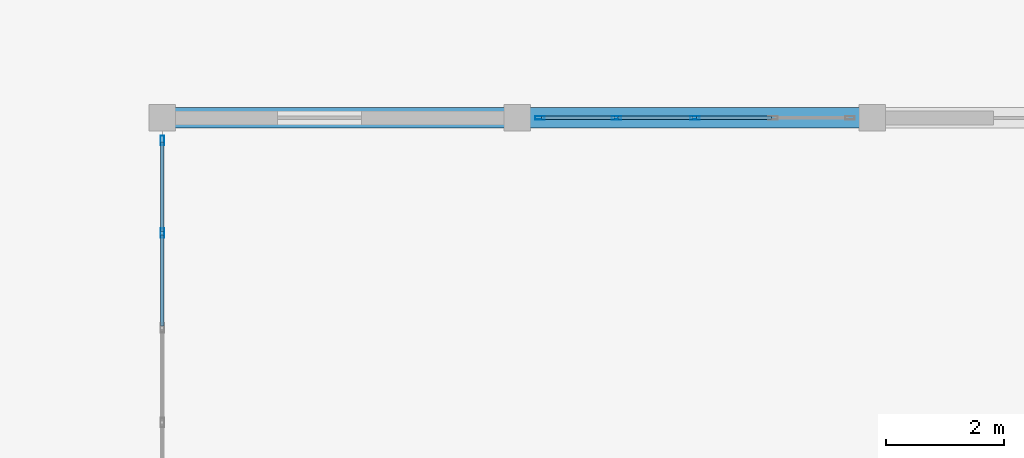
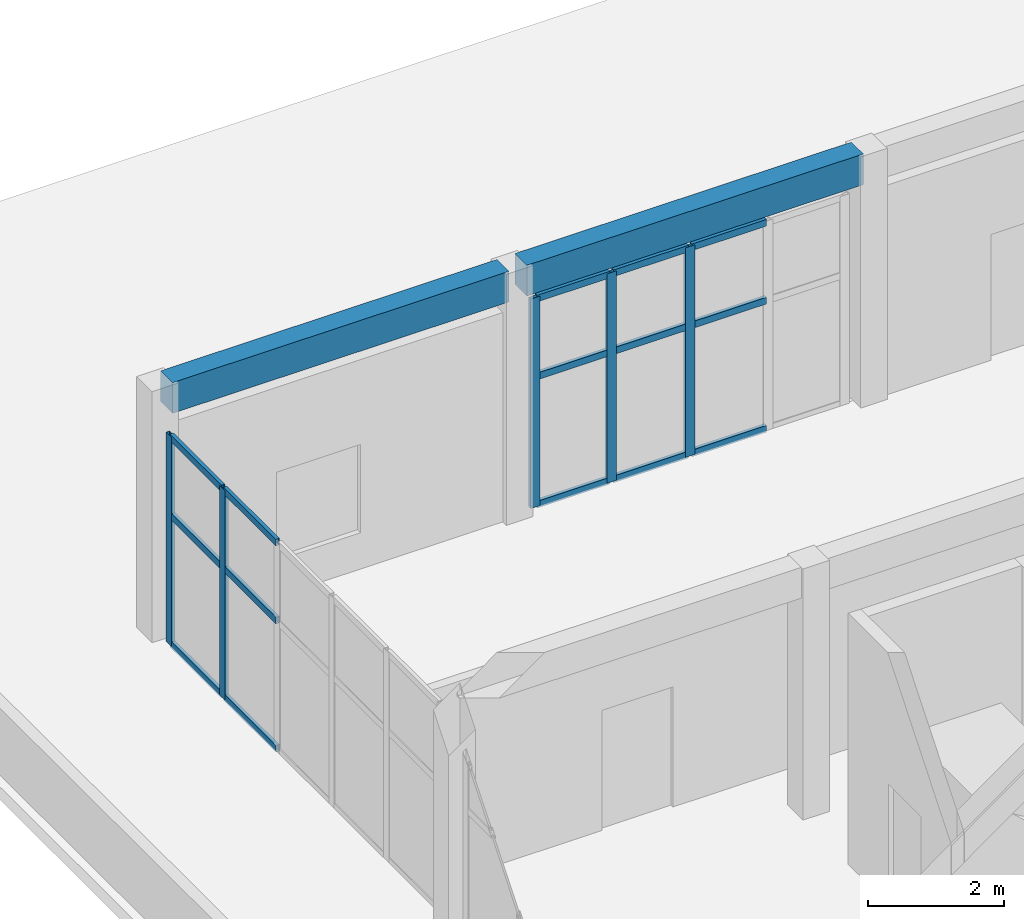
# One storey, part 48 of 132: 20 members, 2 beams, 2 elements without a shape of their own.
"""IFC4 building model written with IfcOpenShell, lengths in metres."""

from ifc_helpers import new_model, si_unit, direction, frame, origin, origin_2d, place, context, subcontext, project, spatial, rectangle, hollow_rectangle, extrude, material, material_profile, profile_set, type_object, element, aggregate, save


model = new_model("IFC4")

# Units and contexts
model_context = context("Model", 3, precision=1e-05, world=origin(), true_north=direction((0.0, 1.0)))
body_context = subcontext(model_context, "Body", "Model", "MODEL_VIEW")
ifc_project = project(units=[si_unit("LENGTHUNIT", "METRE"), si_unit("AREAUNIT", "SQUARE_METRE"), si_unit("VOLUMEUNIT", "CUBIC_METRE"), si_unit("PLANEANGLEUNIT", "RADIAN"), si_unit("MASSUNIT", "GRAM", prefix="KILO")], contexts=[model_context])

# Site, building, storey
site_placement = place(None, origin())
site = spatial("IfcSite", under=ifc_project, at=site_placement, CompositionType="ELEMENT")
building_placement = place(site_placement, origin())
building = spatial("IfcBuilding", under=site, at=building_placement, Name="Tanwirah Colonnade Gardens", CompositionType="ELEMENT")
storey_placement = place(building_placement, origin())
storey = spatial("IfcBuildingStorey", under=building, at=storey_placement, Name="L00", CompositionType="ELEMENT", Elevation=0.0)

# Beams
ifc_material_1 = material(Name="Precast concrete C40/50", Category="concrete")
ifc_material_profile_1 = material_profile(ifc_material_1, rectangle(XDim=0.35009765625, YDim=0.550048828125, at=origin_2d()), Name="PC-BM 350x550")
ifc_profile_set_1 = profile_set([ifc_material_profile_1], Name="Precast concrete C40/50")
beam_type = type_object("IfcBeamType", Name="BM-PC350A", PredefinedType="BEAM", material=ifc_profile_set_1)
for number, where, z_axis, x_axis, name in (
    (1, (78.14990234375, 109.39990234375, 4.219970703125), (1.0, 0.0, 0.0), (0.0, 1.0, 0.0), "Nursery L00 Beam X-0.2"),
    (2, (84.14990234375, 109.39990234375, 4.219970703125), (1.0, 0.0, 0.0), (0.0, 1.0, 0.0), "Nursery L00 Beam X-1.2"),
):
    element("IfcBeam", number, at=place(storey_placement, frame(where, z_axis=z_axis, x_axis=x_axis)), inside=storey, type_object=beam_type, Name=name, PredefinedType="BEAM", context=body_context, shape_type="SweptSolid", body=[
        extrude(rectangle(XDim=0.35009765625, YDim=0.550048828125, at=origin_2d()), origin(), (0.0, 0.0, 1.0), 5.7001953125),
    ])

# Curtain wall, members
ifc_material_2 = material(Name="Bronze-anodised aluminium and solar-control low-E glass", Category="aluminium")
curtain_wall_type = type_object("IfcCurtainWallType", Name="CW-NUR", PredefinedType="NOTDEFINED", material=ifc_material_2)
curtain_wall_1_placement = place(storey_placement, origin())
curtain_wall_1 = element("IfcCurtainWall", 3, at=curtain_wall_1_placement, inside=storey, type_object=curtain_wall_type, Name="Curtain Wall CW-NUR-L00-N-1", PredefinedType="NOTDEFINED")
ifc_material_3 = material(Name="Bronze-anodised aluminium", Category="aluminium")
ifc_material_profile_2 = material_profile(ifc_material_3, hollow_rectangle(XDim=0.06005859375, YDim=0.159912109375, WallThickness=0.00390625, at=origin_2d()), Name="CW-MUL 60x160x4")
ifc_profile_set_2 = profile_set([ifc_material_profile_2], Name="Bronze-anodised aluminium")
member_type_1 = type_object("IfcMemberType", Name="CWM-60x160", PredefinedType="MULLION", material=ifc_profile_set_2)
member_1_placement = place(storey_placement, frame((84.3798828125, 109.39990234375, 0.0), z_axis=(0.0, 0.0, 1.0), x_axis=(0.0, 1.0, 0.0)))
member_1 = element("IfcMember", 4, at=member_1_placement, type_object=member_type_1, Name="CW-NUR mullion 1", PredefinedType="MULLION", context=body_context, shape_type="SweptSolid", body=[
    extrude(hollow_rectangle(XDim=0.06005859375, YDim=0.159912109375, WallThickness=0.00390625, at=origin_2d()), origin(), (0.0, 0.0, 1.0), 3.75),
])
member_2_placement = place(storey_placement, frame((85.675048828125, 109.39990234375, 0.0), z_axis=(0.0, 0.0, 1.0), x_axis=(0.0, 1.0, 0.0)))
member_2 = element("IfcMember", 5, at=member_2_placement, type_object=member_type_1, Name="CW-NUR mullion 2", PredefinedType="MULLION", context=body_context, shape_type="SweptSolid", body=[
    extrude(hollow_rectangle(XDim=0.06005859375, YDim=0.159912109375, WallThickness=0.00390625, at=origin_2d()), origin(), (0.0, 0.0, 1.0), 3.75),
])
member_3_placement = place(storey_placement, frame((87.0, 109.39990234375, 0.0), z_axis=(0.0, 0.0, 1.0), x_axis=(0.0, 1.0, 0.0)))
member_3 = element("IfcMember", 6, at=member_3_placement, type_object=member_type_1, Name="CW-NUR mullion 3", PredefinedType="MULLION", context=body_context, shape_type="SweptSolid", body=[
    extrude(hollow_rectangle(XDim=0.06005859375, YDim=0.159912109375, WallThickness=0.00390625, at=origin_2d()), origin(), (0.0, 0.0, 1.0), 3.75),
])

curtain_wall_2_placement = place(storey_placement, origin())
curtain_wall_2 = element("IfcCurtainWall", 7, at=curtain_wall_2_placement, inside=storey, type_object=curtain_wall_type, Name="Curtain Wall CW-NUR-L00-W-2", PredefinedType="NOTDEFINED")
member_4_placement = place(storey_placement, frame((78.0, 107.449951171875, 0.0), z_axis=(0.0, 0.0, 1.0), x_axis=(-1.0, 0.0, 0.0)))
member_4 = element("IfcMember", 8, at=member_4_placement, type_object=member_type_1, Name="CW-NUR mullion 5", PredefinedType="MULLION", context=body_context, shape_type="SweptSolid", body=[
    extrude(hollow_rectangle(XDim=0.06005859375, YDim=0.159912109375, WallThickness=0.00390625, at=origin_2d()), origin(), (0.0, 0.0, 1.0), 3.75),
])
member_5_placement = place(storey_placement, frame((78.0, 109.02001953125, 0.0), z_axis=(0.0, 0.0, 1.0), x_axis=(-1.0, 0.0, 0.0)))
member_5 = element("IfcMember", 9, at=member_5_placement, type_object=member_type_1, Name="CW-NUR mullion 6", PredefinedType="MULLION", context=body_context, shape_type="SweptSolid", body=[
    extrude(hollow_rectangle(XDim=0.06005859375, YDim=0.159912109375, WallThickness=0.00390625, at=origin_2d()), origin(), (0.0, 0.0, 1.0), 3.75),
])

# Member
ifc_material_profile_3 = material_profile(ifc_material_3, hollow_rectangle(XDim=0.06005859375, YDim=0.1201171875, WallThickness=0.00390625, at=origin_2d()), Name="CW-TRN 60x120x4")
ifc_profile_set_3 = profile_set([ifc_material_profile_3], Name="Bronze-anodised aluminium")
member_type_2 = type_object("IfcMemberType", Name="CWT-60x120", PredefinedType="USERDEFINED", material=ifc_profile_set_3)
member_6_placement = place(storey_placement, frame((84.409912109375, 109.39990234375, 0.030029296875), z_axis=(1.0, 0.0, 0.0), x_axis=(0.0, 1.0, 0.0)))
member_6 = element("IfcMember", 10, at=member_6_placement, type_object=member_type_2, Name="CW-NUR transom 1.1", ObjectType="TRANSOM", PredefinedType="USERDEFINED", context=body_context, shape_type="SweptSolid", body=[
    extrude(hollow_rectangle(XDim=0.06005859375, YDim=0.1201171875, WallThickness=0.00390625, at=origin_2d()), origin(), (0.0, 0.0, 1.0), 1.235107421875),
])

member_7_placement = place(storey_placement, frame((84.409912109375, 109.39990234375, 2.324951171875), z_axis=(1.0, 0.0, 0.0), x_axis=(0.0, 1.0, 0.0)))
member_7 = element("IfcMember", 11, at=member_7_placement, type_object=member_type_2, Name="CW-NUR transom 1.2", ObjectType="TRANSOM", PredefinedType="USERDEFINED", context=body_context, shape_type="SweptSolid", body=[
    extrude(hollow_rectangle(XDim=0.06005859375, YDim=0.1201171875, WallThickness=0.00390625, at=origin_2d()), origin(), (0.0, 0.0, 1.0), 1.235107421875),
])

member_8_placement = place(storey_placement, frame((84.409912109375, 109.39990234375, 3.719970703125), z_axis=(1.0, 0.0, 0.0), x_axis=(0.0, 1.0, 0.0)))
member_8 = element("IfcMember", 12, at=member_8_placement, type_object=member_type_2, Name="CW-NUR transom 1.3", ObjectType="TRANSOM", PredefinedType="USERDEFINED", context=body_context, shape_type="SweptSolid", body=[
    extrude(hollow_rectangle(XDim=0.06005859375, YDim=0.1201171875, WallThickness=0.00390625, at=origin_2d()), origin(), (0.0, 0.0, 1.0), 1.235107421875),
])

member_9_placement = place(storey_placement, frame((85.705078125, 109.39990234375, 0.030029296875), z_axis=(1.0, 0.0, 0.0), x_axis=(0.0, 1.0, 0.0)))
member_9 = element("IfcMember", 13, at=member_9_placement, type_object=member_type_2, Name="CW-NUR transom 2.1", ObjectType="TRANSOM", PredefinedType="USERDEFINED", context=body_context, shape_type="SweptSolid", body=[
    extrude(hollow_rectangle(XDim=0.06005859375, YDim=0.1201171875, WallThickness=0.00390625, at=origin_2d()), origin(), (0.0, 0.0, 1.0), 1.264892578125),
])

member_10_placement = place(storey_placement, frame((85.705078125, 109.39990234375, 2.324951171875), z_axis=(1.0, 0.0, 0.0), x_axis=(0.0, 1.0, 0.0)))
member_10 = element("IfcMember", 14, at=member_10_placement, type_object=member_type_2, Name="CW-NUR transom 2.2", ObjectType="TRANSOM", PredefinedType="USERDEFINED", context=body_context, shape_type="SweptSolid", body=[
    extrude(hollow_rectangle(XDim=0.06005859375, YDim=0.1201171875, WallThickness=0.00390625, at=origin_2d()), origin(), (0.0, 0.0, 1.0), 1.264892578125),
])

member_11_placement = place(storey_placement, frame((85.705078125, 109.39990234375, 3.719970703125), z_axis=(1.0, 0.0, 0.0), x_axis=(0.0, 1.0, 0.0)))
member_11 = element("IfcMember", 15, at=member_11_placement, type_object=member_type_2, Name="CW-NUR transom 2.3", ObjectType="TRANSOM", PredefinedType="USERDEFINED", context=body_context, shape_type="SweptSolid", body=[
    extrude(hollow_rectangle(XDim=0.06005859375, YDim=0.1201171875, WallThickness=0.00390625, at=origin_2d()), origin(), (0.0, 0.0, 1.0), 1.264892578125),
])

member_12_placement = place(storey_placement, frame((87.030029296875, 109.39990234375, 0.030029296875), z_axis=(1.0, 0.0, 0.0), x_axis=(0.0, 1.0, 0.0)))
member_12 = element("IfcMember", 16, at=member_12_placement, type_object=member_type_2, Name="CW-NUR transom 3.1", ObjectType="TRANSOM", PredefinedType="USERDEFINED", context=body_context, shape_type="SweptSolid", body=[
    extrude(hollow_rectangle(XDim=0.06005859375, YDim=0.1201171875, WallThickness=0.00390625, at=origin_2d()), origin(), (0.0, 0.0, 1.0), 1.264892578125),
])

member_13_placement = place(storey_placement, frame((87.030029296875, 109.39990234375, 2.324951171875), z_axis=(1.0, 0.0, 0.0), x_axis=(0.0, 1.0, 0.0)))
member_13 = element("IfcMember", 17, at=member_13_placement, type_object=member_type_2, Name="CW-NUR transom 3.2", ObjectType="TRANSOM", PredefinedType="USERDEFINED", context=body_context, shape_type="SweptSolid", body=[
    extrude(hollow_rectangle(XDim=0.06005859375, YDim=0.1201171875, WallThickness=0.00390625, at=origin_2d()), origin(), (0.0, 0.0, 1.0), 1.264892578125),
])

member_14_placement = place(storey_placement, frame((87.030029296875, 109.39990234375, 3.719970703125), z_axis=(1.0, 0.0, 0.0), x_axis=(0.0, 1.0, 0.0)))
member_14 = element("IfcMember", 18, at=member_14_placement, type_object=member_type_2, Name="CW-NUR transom 3.3", ObjectType="TRANSOM", PredefinedType="USERDEFINED", context=body_context, shape_type="SweptSolid", body=[
    extrude(hollow_rectangle(XDim=0.06005859375, YDim=0.1201171875, WallThickness=0.00390625, at=origin_2d()), origin(), (0.0, 0.0, 1.0), 1.264892578125),
])

aggregate(curtain_wall_1, [member_1, member_2, member_3, member_6, member_7, member_8, member_9, member_10, member_11, member_12, member_13, member_14])

member_15_placement = place(storey_placement, frame((78.0, 105.8798828125, 0.030029296875), z_axis=(0.0, 1.0, 0.0), x_axis=(-1.0, 0.0, 0.0)))
member_15 = element("IfcMember", 19, at=member_15_placement, type_object=member_type_2, Name="CW-NUR transom 4.1", ObjectType="TRANSOM", PredefinedType="USERDEFINED", context=body_context, shape_type="SweptSolid", body=[
    extrude(hollow_rectangle(XDim=0.06005859375, YDim=0.1201171875, WallThickness=0.00390625, at=origin_2d()), origin(), (0.0, 0.0, 1.0), 1.5400390625),
])

member_16_placement = place(storey_placement, frame((78.0, 105.8798828125, 2.324951171875), z_axis=(0.0, 1.0, 0.0), x_axis=(-1.0, 0.0, 0.0)))
member_16 = element("IfcMember", 20, at=member_16_placement, type_object=member_type_2, Name="CW-NUR transom 4.2", ObjectType="TRANSOM", PredefinedType="USERDEFINED", context=body_context, shape_type="SweptSolid", body=[
    extrude(hollow_rectangle(XDim=0.06005859375, YDim=0.1201171875, WallThickness=0.00390625, at=origin_2d()), origin(), (0.0, 0.0, 1.0), 1.5400390625),
])

member_17_placement = place(storey_placement, frame((78.0, 105.8798828125, 3.719970703125), z_axis=(0.0, 1.0, 0.0), x_axis=(-1.0, 0.0, 0.0)))
member_17 = element("IfcMember", 21, at=member_17_placement, type_object=member_type_2, Name="CW-NUR transom 4.3", ObjectType="TRANSOM", PredefinedType="USERDEFINED", context=body_context, shape_type="SweptSolid", body=[
    extrude(hollow_rectangle(XDim=0.06005859375, YDim=0.1201171875, WallThickness=0.00390625, at=origin_2d()), origin(), (0.0, 0.0, 1.0), 1.5400390625),
])

member_18_placement = place(storey_placement, frame((78.0, 107.47998046875, 0.030029296875), z_axis=(0.0, 1.0, 0.0), x_axis=(-1.0, 0.0, 0.0)))
member_18 = element("IfcMember", 22, at=member_18_placement, type_object=member_type_2, Name="CW-NUR transom 5.1", ObjectType="TRANSOM", PredefinedType="USERDEFINED", context=body_context, shape_type="SweptSolid", body=[
    extrude(hollow_rectangle(XDim=0.06005859375, YDim=0.1201171875, WallThickness=0.00390625, at=origin_2d()), origin(), (0.0, 0.0, 1.0), 1.510009765625),
])

member_19_placement = place(storey_placement, frame((78.0, 107.47998046875, 2.324951171875), z_axis=(0.0, 1.0, 0.0), x_axis=(-1.0, 0.0, 0.0)))
member_19 = element("IfcMember", 23, at=member_19_placement, type_object=member_type_2, Name="CW-NUR transom 5.2", ObjectType="TRANSOM", PredefinedType="USERDEFINED", context=body_context, shape_type="SweptSolid", body=[
    extrude(hollow_rectangle(XDim=0.06005859375, YDim=0.1201171875, WallThickness=0.00390625, at=origin_2d()), origin(), (0.0, 0.0, 1.0), 1.510009765625),
])

member_20_placement = place(storey_placement, frame((78.0, 107.47998046875, 3.719970703125), z_axis=(0.0, 1.0, 0.0), x_axis=(-1.0, 0.0, 0.0)))
member_20 = element("IfcMember", 24, at=member_20_placement, type_object=member_type_2, Name="CW-NUR transom 5.3", ObjectType="TRANSOM", PredefinedType="USERDEFINED", context=body_context, shape_type="SweptSolid", body=[
    extrude(hollow_rectangle(XDim=0.06005859375, YDim=0.1201171875, WallThickness=0.00390625, at=origin_2d()), origin(), (0.0, 0.0, 1.0), 1.510009765625),
])

aggregate(curtain_wall_2, [member_4, member_5, member_15, member_16, member_17, member_18, member_19, member_20])

save(model, "model.ifc")
